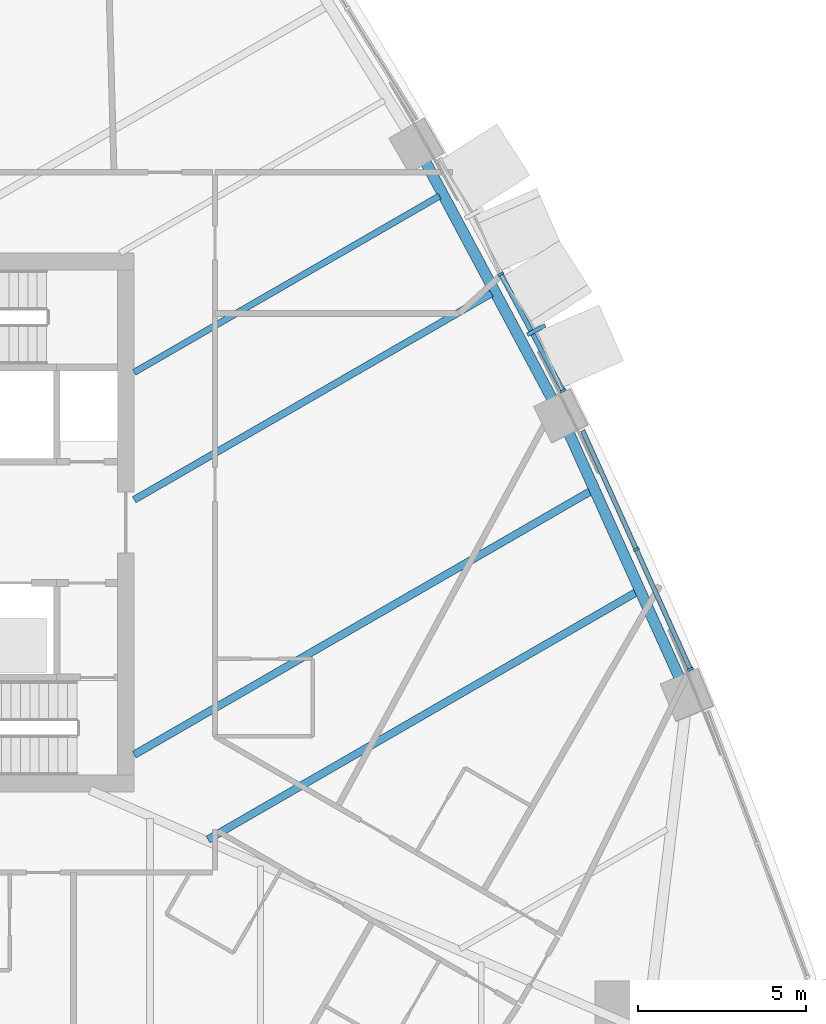
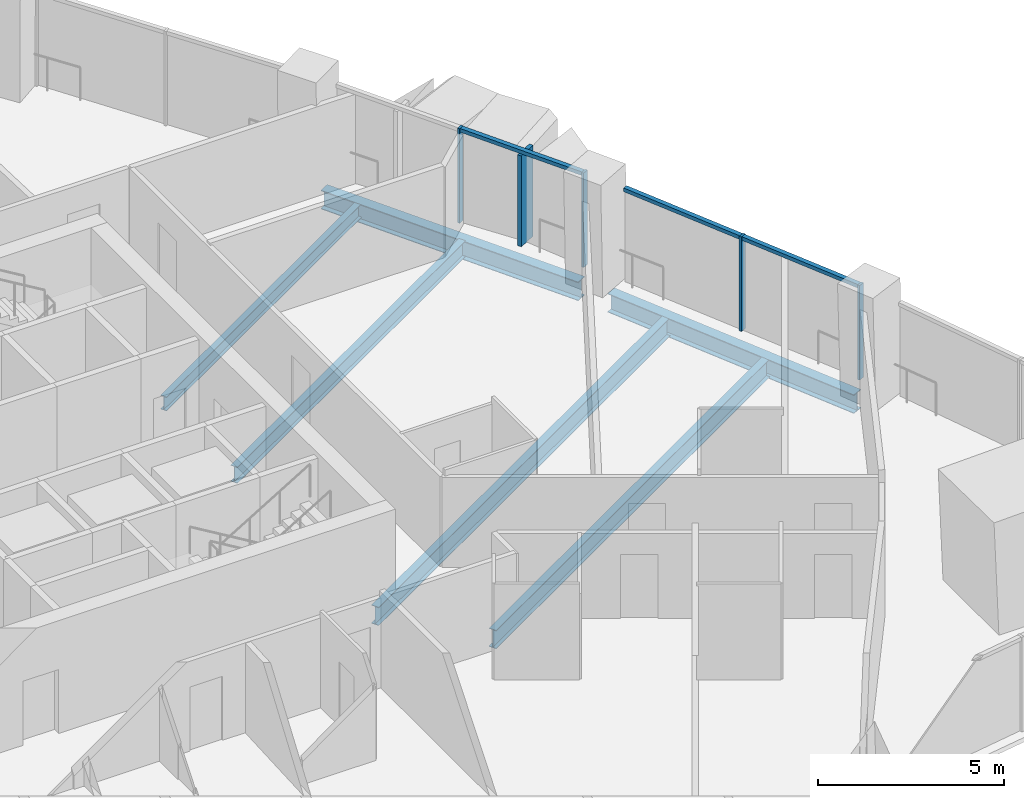
# One storey, part 5 of 18: 8 members, 6 beams, 2 elements without a shape of their own.
"""IFC4 building model written with IfcOpenShell, lengths in metres."""

from ifc_helpers import new_model, si_unit, direction, frame, origin, origin_2d, place, context, subcontext, project, spatial, rectangle, i_section, extrude, material, layer, layer_set, material_profile, profile_set, type_object, element, aggregate, save


model = new_model("IFC4")

# Units and contexts
model_context = context("Model", 3, precision=1e-05, world=origin(), true_north=direction((0.0, 1.0)))
body_context = subcontext(model_context, "Body", "Model", "MODEL_VIEW")
ifc_project = project(units=[si_unit("LENGTHUNIT", "METRE"), si_unit("AREAUNIT", "SQUARE_METRE"), si_unit("VOLUMEUNIT", "CUBIC_METRE"), si_unit("PLANEANGLEUNIT", "RADIAN"), si_unit("MASSUNIT", "GRAM", prefix="KILO")], contexts=[model_context])

# Site, building, storey
site_placement = place(None, origin())
site = spatial("IfcSite", under=ifc_project, at=site_placement, CompositionType="ELEMENT")
building_placement = place(site_placement, origin())
building = spatial("IfcBuilding", under=site, at=building_placement, Name="Sierra Prisma Convention Tower", CompositionType="ELEMENT")
storey_placement = place(building_placement, frame((0.0, 0.0, 81.300048828125)))
storey = spatial("IfcBuildingStorey", under=building, at=storey_placement, Name="L16", CompositionType="ELEMENT", Elevation=81.300048828125)

# Curtain wall, member
ifc_material_1 = material(Name="Aluminium and glass curtain wall", Category="aluminium")
ifc_layer_1 = layer(ifc_material_1, 0.179931640625)
ifc_layer_set_1 = layer_set([ifc_layer_1], Name="CW-2 Faceted crystal curtain wall")
curtain_wall_type_1 = type_object("IfcCurtainWallType", Name="CW-2 Faceted crystal curtain wall", PredefinedType="NOTDEFINED", material=ifc_layer_set_1)
curtain_wall_1_placement = place(storey_placement, origin())
curtain_wall_1 = element("IfcCurtainWall", 1, at=curtain_wall_1_placement, inside=storey, type_object=curtain_wall_type_1, Name="CW-2 NE3 L16", PredefinedType="NOTDEFINED")
ifc_material_2 = material(Name="Aluminium 6063-T6 bronze anodised", Category="aluminium")
ifc_material_profile_1 = material_profile(ifc_material_2, rectangle(XDim=0.1201171875, YDim=0.60009765625, at=origin_2d()), Name="ALU RIDGE BLADE 120x600")
ifc_profile_set_1 = profile_set([ifc_material_profile_1], Name="Aluminium 6063-T6 bronze anodised")
member_type_1 = type_object("IfcMemberType", Name="CW hip bronze", PredefinedType="MULLION", material=ifc_profile_set_1)
member_1_placement = place(storey_placement, frame((22.944580078125, 5.715087890625, 0.0), z_axis=(0.0, 0.0, 1.0), x_axis=(-0.471018206015, 0.882123488862, 0.0)))
member_1 = element("IfcMember", 2, at=member_1_placement, type_object=member_type_1, Name="CW-2 ridge NE3.1", PredefinedType="MULLION", context=body_context, shape_type="SweptSolid", body=[
    extrude(rectangle(XDim=0.1201171875, YDim=0.60009765625, at=origin_2d()), origin(), (0.0, 0.0, 1.0), 2.97998046875),
])

# Curtain wall, members
ifc_material_3 = material(Name="Aluminium and glass curtain wall", Category="aluminium")
ifc_layer_2 = layer(ifc_material_3, 0.179931640625)
ifc_layer_set_2 = layer_set([ifc_layer_2], Name="CW-1 Plain shaft curtain wall")
curtain_wall_type_2 = type_object("IfcCurtainWallType", Name="CW-1 Plain shaft curtain wall", PredefinedType="NOTDEFINED", material=ifc_layer_set_2)
curtain_wall_2_placement = place(storey_placement, origin())
curtain_wall_2 = element("IfcCurtainWall", 3, at=curtain_wall_2_placement, inside=storey, type_object=curtain_wall_type_2, Name="CW-1 NE2 L16", PredefinedType="NOTDEFINED")
ifc_material_4 = material(Name="Aluminium 6063-T6 bronze anodised", Category="aluminium")
ifc_material_profile_2 = material_profile(ifc_material_4, rectangle(XDim=0.179931640625, YDim=0.070068359375, at=origin_2d()), Name="ALU MULLION 70x180")
ifc_profile_set_2 = profile_set([ifc_material_profile_2], Name="Aluminium 6063-T6 bronze anodised")
member_type_2 = type_object("IfcMemberType", Name="CW mullion bronze", PredefinedType="MULLION", material=ifc_profile_set_2)
member_2_placement = place(storey_placement, frame((27.518310546875, -4.361083984375, 0.0), z_axis=(0.0, 0.0, 1.0), x_axis=(-0.91139442481, -0.411533962664, 0.0)))
member_2 = element("IfcMember", 4, at=member_2_placement, type_object=member_type_2, Name="CW-1 mullion NE2.1", PredefinedType="MULLION", context=body_context, shape_type="SweptSolid", body=[
    extrude(rectangle(XDim=0.179931640625, YDim=0.070068359375, at=origin_2d()), origin(), (0.0, 0.0, 1.0), 3.099853515625),
])
member_3_placement = place(storey_placement, frame((25.909912109375, -0.799072265625, 0.0), z_axis=(0.0, 0.0, 1.0), x_axis=(-0.91139442481, -0.411533962664, 0.0)))
member_3 = element("IfcMember", 5, at=member_3_placement, type_object=member_type_2, Name="CW-1 mullion NE2.2", PredefinedType="MULLION", context=body_context, shape_type="SweptSolid", body=[
    extrude(rectangle(XDim=0.179931640625, YDim=0.070068359375, at=origin_2d()), origin(), (0.0, 0.0, 1.0), 3.099853515625),
])

# Member
member_4_placement = place(storey_placement, frame((23.735107421875, 3.912841796875, 0.0), z_axis=(0.0, 0.0, 1.0), x_axis=(-0.882123488862, -0.471018206015, 0.0)))
member_4 = element("IfcMember", 6, at=member_4_placement, type_object=member_type_2, Name="CW-1 mullion NE3.1", PredefinedType="MULLION", context=body_context, shape_type="SweptSolid", body=[
    extrude(rectangle(XDim=0.179931640625, YDim=0.070068359375, at=origin_2d()), origin(), (0.0, 0.0, 1.0), 3.099853515625),
])

member_5_placement = place(storey_placement, frame((21.88671875, 7.37451171875, 0.0), z_axis=(0.0, 0.0, 1.0), x_axis=(-0.882123488862, -0.471018206015, 0.0)))
member_5 = element("IfcMember", 7, at=member_5_placement, type_object=member_type_2, Name="CW-1 mullion NE3.2", PredefinedType="MULLION", context=body_context, shape_type="SweptSolid", body=[
    extrude(rectangle(XDim=0.179931640625, YDim=0.070068359375, at=origin_2d()), origin(), (0.0, 0.0, 1.0), 3.099853515625),
])

ifc_material_5 = material(Name="Aluminium 6063-T6 bronze anodised", Category="aluminium")
ifc_material_profile_3 = material_profile(ifc_material_5, rectangle(XDim=0.139892578125, YDim=0.1201171875, at=origin_2d()), Name="ALU TRANSOM 120x140")
ifc_profile_set_3 = profile_set([ifc_material_profile_3], Name="Aluminium 6063-T6 bronze anodised")
member_type_3 = type_object("IfcMemberType", Name="CW transom bronze", PredefinedType="USERDEFINED", material=ifc_profile_set_3)
member_6_placement = place(storey_placement, frame((27.50390625, -4.3291015625, 3.0400390625), z_axis=(-0.411549227495, 0.911387531925, 0.0), x_axis=(-0.911387531925, -0.411549227495, 0.0)))
member_6 = element("IfcMember", 8, at=member_6_placement, type_object=member_type_3, Name="CW-1 transom NE2.1", ObjectType="TRANSOM", PredefinedType="USERDEFINED", context=body_context, shape_type="SweptSolid", body=[
    extrude(rectangle(XDim=0.139892578125, YDim=0.1201171875, at=origin_2d()), origin(), (0.0, 0.0, 1.0), 3.838134765625),
])

member_7_placement = place(storey_placement, frame((25.8955078125, -0.767333984375, 3.0400390625), z_axis=(-0.411549227495, 0.911387531925, 0.0), x_axis=(-0.911387531925, -0.411549227495, 0.0)))
member_7 = element("IfcMember", 9, at=member_7_placement, type_object=member_type_3, Name="CW-1 transom NE2.2", ObjectType="TRANSOM", PredefinedType="USERDEFINED", context=body_context, shape_type="SweptSolid", body=[
    extrude(rectangle(XDim=0.139892578125, YDim=0.1201171875, at=origin_2d()), origin(), (0.0, 0.0, 1.0), 3.838134765625),
])

aggregate(curtain_wall_2, [member_2, member_3, member_6, member_7])

member_8_placement = place(storey_placement, frame((23.718505859375, 3.94384765625, 3.0400390625), z_axis=(-0.471022157963, 0.882121378671, 0.0), x_axis=(-0.882121378671, -0.471022157963, 0.0)))
member_8 = element("IfcMember", 10, at=member_8_placement, type_object=member_type_3, Name="CW-1 transom NE3.1", ObjectType="TRANSOM", PredefinedType="USERDEFINED", context=body_context, shape_type="SweptSolid", body=[
    extrude(rectangle(XDim=0.139892578125, YDim=0.1201171875, at=origin_2d()), origin(), (0.0, 0.0, 1.0), 3.854248046875),
])

aggregate(curtain_wall_1, [member_4, member_5, member_8, member_1])

# Beams
ifc_material_6 = material(Name="Steel ASTM A992 Gr 50", Category="steel")
ifc_material_profile_4 = material_profile(ifc_material_6, i_section(OverallWidth=0.18994140625, OverallDepth=0.45703125, WebThickness=0.009033203125, FlangeThickness=0.014404296875, at=origin_2d()), Name="W460x74")
ifc_profile_set_4 = profile_set([ifc_material_profile_4], Name="Steel ASTM A992 Gr 50")
beam_type_1 = type_object("IfcBeamType", Name="Floor joist W460x74", PredefinedType="JOIST", material=ifc_profile_set_4)
beam_1_placement = place(storey_placement, frame((20.067626953125, 9.693603515625, -0.378662109375), z_axis=(-0.866019005993, -0.500011081137, 0.0), x_axis=(0.500011081137, -0.866019005993, 0.0)))
element("IfcBeam", 11, at=beam_1_placement, inside=storey, type_object=beam_type_1, Name="Floor joist L16 NE08", PredefinedType="JOIST", context=body_context, shape_type="SweptSolid", body=[
    extrude(i_section(OverallWidth=0.18994140625, OverallDepth=0.45703125, WebThickness=0.009033203125, FlangeThickness=0.014404296875, at=origin_2d()), origin(), (0.0, 0.0, 1.0), 10.470458984375),
])
ifc_material_7 = material(Name="Steel ASTM A992 Gr 50", Category="steel")
ifc_material_profile_5 = material_profile(ifc_material_7, i_section(OverallWidth=0.208984375, OverallDepth=0.532958984375, WebThickness=0.01025390625, FlangeThickness=0.015625, at=origin_2d()), Name="W530x92")
ifc_profile_set_5 = profile_set([ifc_material_profile_5], Name="Steel ASTM A992 Gr 50")
beam_type_2 = type_object("IfcBeamType", Name="Floor joist W530x92", PredefinedType="JOIST", material=ifc_profile_set_5)
beam_2_placement = place(storey_placement, frame((21.612548828125, 6.80029296875, -0.41650390625), z_axis=(-0.866032640389, -0.499987465624, 0.0), x_axis=(0.499987465624, -0.866032640389, 0.0)))
element("IfcBeam", 12, at=beam_2_placement, inside=storey, type_object=beam_type_2, Name="Floor joist L16 NE07", PredefinedType="JOIST", context=body_context, shape_type="SweptSolid", body=[
    extrude(i_section(OverallWidth=0.208984375, OverallDepth=0.532958984375, WebThickness=0.01025390625, FlangeThickness=0.015625, at=origin_2d()), origin(), (0.0, 0.0, 1.0), 12.254150390625),
])
ifc_material_8 = material(Name="Steel ASTM A992 Gr 50", Category="steel")
ifc_material_profile_6 = material_profile(ifc_material_8, i_section(OverallWidth=0.22802734375, OverallDepth=0.60302734375, WebThickness=0.010498046875, FlangeThickness=0.014892578125, at=origin_2d()), Name="W610x101")
ifc_profile_set_6 = profile_set([ifc_material_profile_6], Name="Steel ASTM A992 Gr 50")
beam_type_3 = type_object("IfcBeamType", Name="Floor joist W610x101", PredefinedType="JOIST", material=ifc_profile_set_6)
beam_3_placement = place(storey_placement, frame((25.92041015625, -2.067626953125, -0.45166015625), z_axis=(-0.866024600639, -0.500001391086, 0.0), x_axis=(0.500001391086, -0.866024600639, 0.0)))
element("IfcBeam", 13, at=beam_3_placement, inside=storey, type_object=beam_type_3, Name="Floor joist L16 NE04", PredefinedType="JOIST", context=body_context, shape_type="SweptSolid", body=[
    extrude(i_section(OverallWidth=0.22802734375, OverallDepth=0.60302734375, WebThickness=0.010498046875, FlangeThickness=0.014892578125, at=origin_2d()), origin(), (0.0, 0.0, 1.0), 14.6982421875),
])
beam_4_placement = place(storey_placement, frame((24.564697265625, 0.9345703125, -0.45166015625), z_axis=(-0.866026472248, -0.499998149363, 0.0), x_axis=(0.499998149363, -0.866026472248, 0.0)))
element("IfcBeam", 14, at=beam_4_placement, inside=storey, type_object=beam_type_3, Name="Floor joist L16 NE05", PredefinedType="JOIST", context=body_context, shape_type="SweptSolid", body=[
    extrude(i_section(OverallWidth=0.22802734375, OverallDepth=0.60302734375, WebThickness=0.010498046875, FlangeThickness=0.014892578125, at=origin_2d()), origin(), (0.0, 0.0, 1.0), 15.6630859375),
])
ifc_material_9 = material(Name="Steel ASTM A992 Gr 50", Category="steel")
ifc_material_profile_7 = material_profile(ifc_material_9, i_section(OverallWidth=0.324951171875, OverallDepth=0.615966796875, WebThickness=0.013916015625, FlangeThickness=0.021484375, at=origin_2d()), Name="W610x174")
ifc_profile_set_7 = profile_set([ifc_material_profile_7], Name="Steel ASTM A992 Gr 50")
beam_type_4 = type_object("IfcBeamType", Name="Spandrel beam W610x174", PredefinedType="BEAM", material=ifc_profile_set_7)
beam_5_placement = place(storey_placement, frame((27.230712890625, -4.695556640625, -0.4580078125), z_axis=(-0.411552185275, 0.911386196294, 0.0), x_axis=(-0.911386196294, -0.411552185275, 0.0)))
element("IfcBeam", 15, at=beam_5_placement, inside=storey, type_object=beam_type_4, Name="Spandrel L16-08", PredefinedType="BEAM", context=body_context, shape_type="SweptSolid", body=[
    extrude(i_section(OverallWidth=0.324951171875, OverallDepth=0.615966796875, WebThickness=0.013916015625, FlangeThickness=0.021484375, at=origin_2d()), origin(), (0.0, 0.0, 1.0), 8.144287109375),
])
beam_6_placement = place(storey_placement, frame((23.455078125, 3.588623046875, -0.4580078125), z_axis=(-0.471011397346, 0.882127124382, 0.0), x_axis=(-0.882127124382, -0.471011397346, 0.0)))
element("IfcBeam", 16, at=beam_6_placement, inside=storey, type_object=beam_type_4, Name="Spandrel L16-09", PredefinedType="BEAM", context=body_context, shape_type="SweptSolid", body=[
    extrude(i_section(OverallWidth=0.324951171875, OverallDepth=0.615966796875, WebThickness=0.013916015625, FlangeThickness=0.021484375, at=origin_2d()), origin(), (0.0, 0.0, 1.0), 8.14404296875),
])

save(model, "model.ifc")
